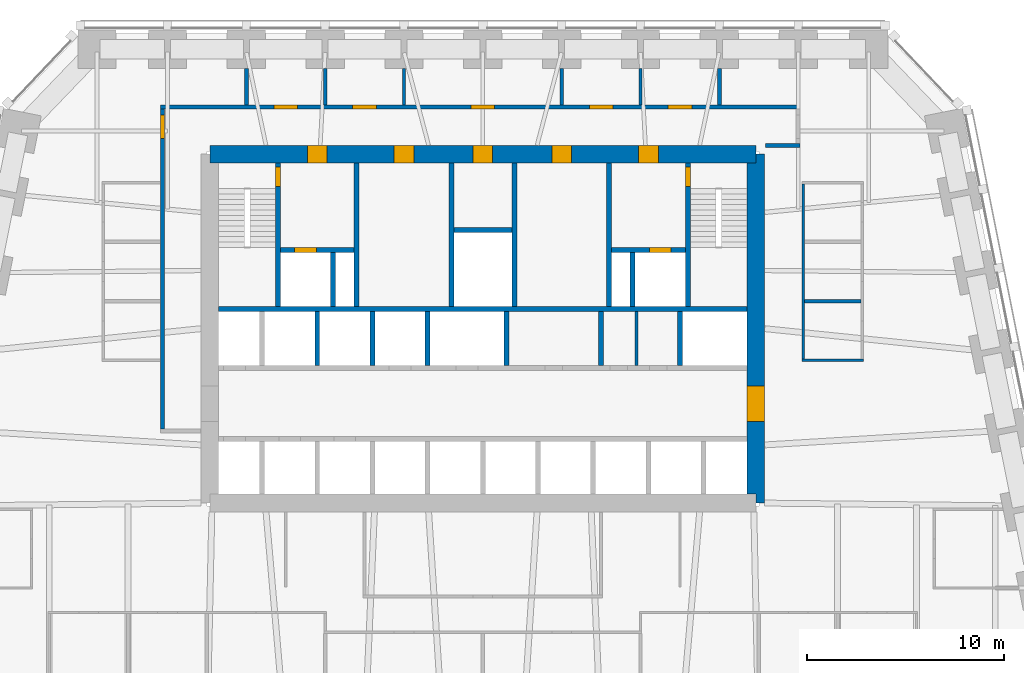
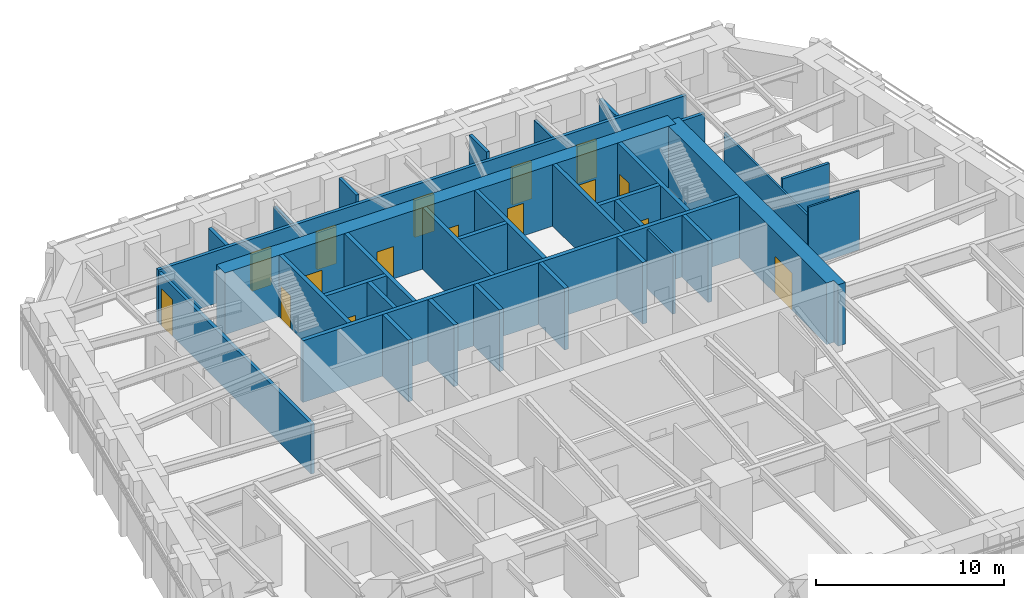
# One storey, part 7 of 10: 33 walls, 16 doors, 16 openings.
"""IFC4 building model written with IfcOpenShell, lengths in metres."""

from ifc_helpers import new_model, si_unit, direction, frame, frame_2d, origin, place, context, subcontext, project, spatial, polyline, rectangle, outline, extrude, material, layer, layer_set, type_object, element, fill, save


model = new_model("IFC4")

# Units and contexts
model_context = context("Model", 3, precision=1e-05, world=origin(), true_north=direction((0.0, 1.0)))
body_context = subcontext(model_context, "Body", "Model", "MODEL_VIEW")
ifc_project = project(units=[si_unit("LENGTHUNIT", "METRE"), si_unit("AREAUNIT", "SQUARE_METRE"), si_unit("VOLUMEUNIT", "CUBIC_METRE"), si_unit("PLANEANGLEUNIT", "RADIAN"), si_unit("MASSUNIT", "GRAM", prefix="KILO")], contexts=[model_context])

# Site, building, storey
site_placement = place(None, origin())
site = spatial("IfcSite", under=ifc_project, at=site_placement, CompositionType="ELEMENT")
building_placement = place(site_placement, origin())
building = spatial("IfcBuilding", under=site, at=building_placement, Name="Isbrekke Arena Tower", CompositionType="ELEMENT")
storey_placement = place(building_placement, frame((0.0, 0.0, 76.0)))
storey = spatial("IfcBuildingStorey", under=building, at=storey_placement, Name="L16", CompositionType="ELEMENT", Elevation=76.0)

# Wall, opening, door
ifc_material_1 = material(Name="Concrete B65 (C65/80)", Category="concrete")
ifc_layer_1 = layer(ifc_material_1, 0.89990234375)
ifc_layer_set_1 = layer_set([ifc_layer_1], Name="CW2 CORE WALL 900")
wall_type_1 = type_object("IfcWallType", Name="CW2 CORE WALL 900", PredefinedType="SHEAR", material=ifc_layer_set_1)
wall_1_placement = place(storey_placement, frame((13.85009765625, 6.14990234375, 0.0), z_axis=(0.0, 0.0, 1.0), x_axis=(0.0, 1.0, 0.0)))
wall_1 = element("IfcWall", 1, at=wall_1_placement, inside=storey, type_object=wall_type_1, Name="Core wall E L16", PredefinedType="SHEAR", context=body_context, shape_type="SweptSolid", body=[
    extrude(outline(polyline([(0.0, -0.449951171875), (17.7001953125, -0.449951171875), (17.7001953125, 0.0), (17.250244140625, 0.0), (17.250244140625, 0.449951171875), (0.449951171875, 0.449951171875), (0.449951171875, 0.0), (0.0, 0.0), (0.0, -0.449951171875)])), origin(), (0.0, 0.0, 1.0), 4.0),
])
opening_1_placement = place(wall_1_placement, frame((4.14990234375, 0.0, 0.0)))
opening_1 = element("IfcOpeningElement", 2, at=opening_1_placement, cuts=wall_1, Name="Opening D1", PredefinedType="OPENING", context=body_context, shape_type="SweptSolid", body=[
    extrude(rectangle(XDim=1.800048828125, YDim=2.39990234375, at=frame_2d((0.89990234375, 1.199951171875))), frame((0.0, 0.46484375, 0.0), z_axis=(0.0, -1.0, 0.0), x_axis=(1.0, 0.0, 0.0)), (0.0, 0.0, 1.0), 0.9296875),
])
ifc_material_2 = material(Name="Steel-framed glazed fire door", Category="steel")
door_type_1 = type_object("IfcDoorType", Name="D1 CORE LOBBY DOOR 1800 x 2400", OperationType="DOUBLE_DOOR_SINGLE_SWING", PredefinedType="DOOR", material=ifc_material_2)
door_1_placement = place(opening_1_placement, origin())
door_1 = element("IfcDoor", 3, at=door_1_placement, inside=storey, type_object=door_type_1, Name="D1 lift lobby door east L16", OperationType="DOUBLE_DOOR_SINGLE_SWING", OverallHeight=2.39990234375, OverallWidth=1.800048828125, PredefinedType="DOOR", context=body_context, shape_type="SweptSolid", body=[
    extrude(rectangle(XDim=1.800048828125, YDim=2.39990234375, at=frame_2d((0.89990234375, 1.199951171875))), frame((0.0, 0.44970703125, 0.0), z_axis=(0.0, -1.0, 0.0), x_axis=(1.0, 0.0, 0.0)), (0.0, 0.0, 1.0), 0.8994140625),
])
fill(opening_1, door_1)

# Wall, openings, doors
wall_2_placement = place(storey_placement, frame((13.85009765625, 23.85009765625, 0.0), z_axis=(0.0, 0.0, 1.0), x_axis=(-1.0, 0.0, 0.0)))
wall_2 = element("IfcWall", 4, at=wall_2_placement, inside=storey, type_object=wall_type_1, Name="Core wall N L16", PredefinedType="SHEAR", context=body_context, shape_type="SweptSolid", body=[
    extrude(rectangle(XDim=27.7001953125, YDim=0.89990234375, at=frame_2d((13.85009765625, 0.0))), origin(), (0.0, 0.0, 1.0), 4.0),
])
opening_2_placement = place(wall_2_placement, frame((21.75, 0.0, 0.0)))
opening_2 = element("IfcOpeningElement", 5, at=opening_2_placement, cuts=wall_2, Name="Opening D3", PredefinedType="OPENING", context=body_context, shape_type="SweptSolid", body=[
    extrude(rectangle(XDim=1.0, YDim=2.10009765625, at=frame_2d((0.5, 1.050048828125))), frame((0.0, 0.46484375, 0.0), z_axis=(0.0, -1.0, 0.0), x_axis=(1.0, 0.0, 0.0)), (0.0, 0.0, 1.0), 0.9296875),
])
opening_3_placement = place(wall_2_placement, frame((4.949951171875, 0.0, 0.0)))
opening_3 = element("IfcOpeningElement", 6, at=opening_3_placement, cuts=wall_2, Name="Opening D3", PredefinedType="OPENING", context=body_context, shape_type="SweptSolid", body=[
    extrude(rectangle(XDim=1.0, YDim=2.10009765625, at=frame_2d((0.5, 1.050048828125))), frame((0.0, 0.46484375, 0.0), z_axis=(0.0, -1.0, 0.0), x_axis=(1.0, 0.0, 0.0)), (0.0, 0.0, 1.0), 0.9296875),
])
opening_4_placement = place(wall_2_placement, frame((17.35009765625, 0.0, 0.0)))
opening_4 = element("IfcOpeningElement", 7, at=opening_4_placement, cuts=wall_2, Name="Opening D4", PredefinedType="OPENING", context=body_context, shape_type="SweptSolid", body=[
    extrude(rectangle(XDim=1.0, YDim=2.10009765625, at=frame_2d((0.5, 1.050048828125))), frame((0.0, 0.46484375, 0.0), z_axis=(0.0, -1.0, 0.0), x_axis=(1.0, 0.0, 0.0)), (0.0, 0.0, 1.0), 0.9296875),
])
opening_5_placement = place(wall_2_placement, frame((13.35009765625, 0.0, 0.0)))
opening_5 = element("IfcOpeningElement", 8, at=opening_5_placement, cuts=wall_2, Name="Opening D4", PredefinedType="OPENING", context=body_context, shape_type="SweptSolid", body=[
    extrude(rectangle(XDim=1.0, YDim=2.10009765625, at=frame_2d((0.5, 1.050048828125))), frame((0.0, 0.46484375, 0.0), z_axis=(0.0, -1.0, 0.0), x_axis=(1.0, 0.0, 0.0)), (0.0, 0.0, 1.0), 0.9296875),
])
opening_6_placement = place(wall_2_placement, frame((9.35009765625, 0.0, 0.0)))
opening_6 = element("IfcOpeningElement", 9, at=opening_6_placement, cuts=wall_2, Name="Opening D4", PredefinedType="OPENING", context=body_context, shape_type="SweptSolid", body=[
    extrude(rectangle(XDim=1.0, YDim=2.10009765625, at=frame_2d((0.5, 1.050048828125))), frame((0.0, 0.46484375, 0.0), z_axis=(0.0, -1.0, 0.0), x_axis=(1.0, 0.0, 0.0)), (0.0, 0.0, 1.0), 0.9296875),
])
ifc_material_3 = material(Name="Steel fire door", Category="steel")
door_type_2 = type_object("IfcDoorType", Name="D3 FIRE LOBBY DOOR 1000 x 2100", OperationType="SINGLE_SWING_RIGHT", PredefinedType="DOOR", material=ifc_material_3)
door_2_placement = place(opening_2_placement, origin())
door_2 = element("IfcDoor", 10, at=door_2_placement, inside=storey, type_object=door_type_2, Name="D3 fire-fighting lobby door L16", OperationType="SINGLE_SWING_RIGHT", OverallHeight=2.10009765625, OverallWidth=1.0, PredefinedType="DOOR", context=body_context, shape_type="SweptSolid", body=[
    extrude(rectangle(XDim=1.0, YDim=2.10009765625, at=frame_2d((0.5, 1.050048828125))), frame((0.0, 0.44970703125, 0.0), z_axis=(0.0, -1.0, 0.0), x_axis=(1.0, 0.0, 0.0)), (0.0, 0.0, 1.0), 0.8994140625),
])
fill(opening_2, door_2)
door_3_placement = place(opening_3_placement, origin())
door_3 = element("IfcDoor", 11, at=door_3_placement, inside=storey, type_object=door_type_2, Name="D3 fire-fighting lobby door L16", OperationType="SINGLE_SWING_RIGHT", OverallHeight=2.10009765625, OverallWidth=1.0, PredefinedType="DOOR", context=body_context, shape_type="SweptSolid", body=[
    extrude(rectangle(XDim=1.0, YDim=2.10009765625, at=frame_2d((0.5, 1.050048828125))), frame((0.0, 0.44970703125, 0.0), z_axis=(0.0, -1.0, 0.0), x_axis=(1.0, 0.0, 0.0)), (0.0, 0.0, 1.0), 0.8994140625),
])
fill(opening_3, door_3)
ifc_material_4 = material(Name="Timber door", Category="wood")
door_type_3 = type_object("IfcDoorType", Name="D4 WC DOOR 1000 x 2100", OperationType="SINGLE_SWING_LEFT", PredefinedType="DOOR", material=ifc_material_4)
door_4_placement = place(opening_4_placement, origin())
door_4 = element("IfcDoor", 12, at=door_4_placement, inside=storey, type_object=door_type_3, Name="D4 wc female door L16", OperationType="SINGLE_SWING_LEFT", OverallHeight=2.10009765625, OverallWidth=1.0, PredefinedType="DOOR", context=body_context, shape_type="SweptSolid", body=[
    extrude(rectangle(XDim=1.0, YDim=2.10009765625, at=frame_2d((0.5, 1.050048828125))), frame((0.0, 0.44970703125, 0.0), z_axis=(0.0, -1.0, 0.0), x_axis=(1.0, 0.0, 0.0)), (0.0, 0.0, 1.0), 0.8994140625),
])
fill(opening_4, door_4)
door_5_placement = place(opening_5_placement, origin())
door_5 = element("IfcDoor", 13, at=door_5_placement, inside=storey, type_object=door_type_3, Name="D4 accessible wc door L16", OperationType="SINGLE_SWING_LEFT", OverallHeight=2.10009765625, OverallWidth=1.0, PredefinedType="DOOR", context=body_context, shape_type="SweptSolid", body=[
    extrude(rectangle(XDim=1.0, YDim=2.10009765625, at=frame_2d((0.5, 1.050048828125))), frame((0.0, 0.44970703125, 0.0), z_axis=(0.0, -1.0, 0.0), x_axis=(1.0, 0.0, 0.0)), (0.0, 0.0, 1.0), 0.8994140625),
])
fill(opening_5, door_5)
door_6_placement = place(opening_6_placement, origin())
door_6 = element("IfcDoor", 14, at=door_6_placement, inside=storey, type_object=door_type_3, Name="D4 wc male door L16", OperationType="SINGLE_SWING_LEFT", OverallHeight=2.10009765625, OverallWidth=1.0, PredefinedType="DOOR", context=body_context, shape_type="SweptSolid", body=[
    extrude(rectangle(XDim=1.0, YDim=2.10009765625, at=frame_2d((0.5, 1.050048828125))), frame((0.0, 0.44970703125, 0.0), z_axis=(0.0, -1.0, 0.0), x_axis=(1.0, 0.0, 0.0)), (0.0, 0.0, 1.0), 0.8994140625),
])
fill(opening_6, door_6)

# Walls
ifc_material_5 = material(Name="Concrete B45 (C45/55)", Category="concrete")
ifc_layer_2 = layer(ifc_material_5, 0.25)
ifc_layer_set_2 = layer_set([ifc_layer_2], Name="CW6 SHAFT WALL 250")
wall_type_2 = type_object("IfcWallType", Name="CW6 SHAFT WALL 250", PredefinedType="SHEAR", material=ifc_layer_set_2)
wall_3_placement = place(storey_placement, frame((-13.39990234375, 16.0, 0.0), z_axis=(0.0, 0.0, 1.0), x_axis=(1.0, 0.0, 0.0)))
element("IfcWall", 15, at=wall_3_placement, inside=storey, type_object=wall_type_2, Name="Core wall NB L16", PredefinedType="SHEAR", context=body_context, shape_type="SweptSolid", body=[
    extrude(rectangle(XDim=26.7998046875, YDim=0.25, at=frame_2d((13.39990234375, 0.0))), origin(), (0.0, 0.0, 1.0), 4.0),
])
for number, where, z_axis, x_axis, name in (
    (16, (-8.39990234375, 13.125, 0.0), (0.0, 0.0, 1.0), (0.0, 1.0, 0.0), "Core wall SN02 L16"),
    (17, (-5.60009765625, 13.125, 0.0), (0.0, 0.0, 1.0), (0.0, 1.0, 0.0), "Core wall SN03 L16"),
    (18, (-2.800048828125, 13.125, 0.0), (0.0, 0.0, 1.0), (0.0, 1.0, 0.0), "Core wall SN04 L16"),
    (19, (1.199951171875, 13.125, 0.0), (0.0, 0.0, 1.0), (0.0, 1.0, 0.0), "Core wall SN05 L16"),
    (20, (6.0, 13.125, 0.0), (0.0, 0.0, 1.0), (0.0, 1.0, 0.0), "Core wall SN06 L16"),
    (21, (10.0, 13.125, 0.0), (0.0, 0.0, 1.0), (0.0, 1.0, 0.0), "Core wall SN07 L16"),
):
    element("IfcWall", number, at=place(storey_placement, frame(where, z_axis=z_axis, x_axis=x_axis)), inside=storey, type_object=wall_type_2, Name=name, PredefinedType="SHEAR", context=body_context, shape_type="SweptSolid", body=[
        extrude(rectangle(XDim=2.75, YDim=0.25, at=frame_2d((1.375, 0.0))), origin(), (0.0, 0.0, 1.0), 4.0),
    ])

# Wall, opening, door
wall_4_placement = place(storey_placement, frame((-10.39990234375, 16.125, 0.0), z_axis=(0.0, 0.0, 1.0), x_axis=(0.0, 1.0, 0.0)))
wall_4 = element("IfcWall", 22, at=wall_4_placement, inside=storey, type_object=wall_type_2, Name="Core wall NV01 L16", PredefinedType="SHEAR", context=body_context, shape_type="SweptSolid", body=[
    extrude(rectangle(XDim=7.27490234375, YDim=0.25, at=frame_2d((3.637451171875, 0.0))), origin(), (0.0, 0.0, 1.0), 4.0),
])
opening_7_placement = place(wall_4_placement, frame((6.074951171875, 0.0, 0.0)))
opening_7 = element("IfcOpeningElement", 23, at=opening_7_placement, cuts=wall_4, Name="Opening D2", PredefinedType="OPENING", context=body_context, shape_type="SweptSolid", body=[
    extrude(rectangle(XDim=1.0, YDim=2.10009765625, at=frame_2d((0.5, 1.050048828125))), frame((0.0, 0.139892578125, 0.0), z_axis=(0.0, -1.0, 0.0), x_axis=(1.0, 0.0, 0.0)), (0.0, 0.0, 1.0), 0.27978515625),
])
ifc_material_6 = material(Name="Steel fire door", Category="steel")
door_type_4 = type_object("IfcDoorType", Name="D2 STAIR DOOR 1000 x 2100", OperationType="SINGLE_SWING_LEFT", PredefinedType="DOOR", material=ifc_material_6)
door_7_placement = place(opening_7_placement, origin())
door_7 = element("IfcDoor", 24, at=door_7_placement, inside=storey, type_object=door_type_4, Name="D2 stair door ST1 L16", OperationType="SINGLE_SWING_LEFT", OverallHeight=2.10009765625, OverallWidth=1.0, PredefinedType="DOOR", context=body_context, shape_type="SweptSolid", body=[
    extrude(rectangle(XDim=1.0, YDim=2.10009765625, at=frame_2d((0.5, 1.050048828125))), frame((0.0, 0.124755859375, 0.0), z_axis=(0.0, -1.0, 0.0), x_axis=(1.0, 0.0, 0.0)), (0.0, 0.0, 1.0), 0.24951171875),
])
fill(opening_7, door_7)

# Walls
for number, where, z_axis, x_axis, name in (
    (25, (-6.39990234375, 16.125, 0.0), (0.0, 0.0, 1.0), (0.0, 1.0, 0.0), "Core wall NV02 L16"),
    (26, (-1.60009765625, 16.125, 0.0), (0.0, 0.0, 1.0), (0.0, 1.0, 0.0), "Core wall NV03 L16"),
    (27, (1.60009765625, 16.125, 0.0), (0.0, 0.0, 1.0), (0.0, 1.0, 0.0), "Core wall NV04 L16"),
    (28, (6.39990234375, 16.125, 0.0), (0.0, 0.0, 1.0), (0.0, 1.0, 0.0), "Core wall NV05 L16"),
):
    element("IfcWall", number, at=place(storey_placement, frame(where, z_axis=z_axis, x_axis=x_axis)), inside=storey, type_object=wall_type_2, Name=name, PredefinedType="SHEAR", context=body_context, shape_type="SweptSolid", body=[
        extrude(rectangle(XDim=7.27490234375, YDim=0.25, at=frame_2d((3.637451171875, 0.0))), origin(), (0.0, 0.0, 1.0), 4.0),
    ])

# Wall, opening, door
wall_5_placement = place(storey_placement, frame((10.39990234375, 16.125, 0.0), z_axis=(0.0, 0.0, 1.0), x_axis=(0.0, 1.0, 0.0)))
wall_5 = element("IfcWall", 29, at=wall_5_placement, inside=storey, type_object=wall_type_2, Name="Core wall NV06 L16", PredefinedType="SHEAR", context=body_context, shape_type="SweptSolid", body=[
    extrude(rectangle(XDim=7.27490234375, YDim=0.25, at=frame_2d((3.637451171875, 0.0))), origin(), (0.0, 0.0, 1.0), 4.0),
])
opening_8_placement = place(wall_5_placement, frame((6.074951171875, 0.0, 0.0)))
opening_8 = element("IfcOpeningElement", 30, at=opening_8_placement, cuts=wall_5, Name="Opening D2", PredefinedType="OPENING", context=body_context, shape_type="SweptSolid", body=[
    extrude(rectangle(XDim=1.0, YDim=2.10009765625, at=frame_2d((0.5, 1.050048828125))), frame((0.0, 0.139892578125, 0.0), z_axis=(0.0, -1.0, 0.0), x_axis=(1.0, 0.0, 0.0)), (0.0, 0.0, 1.0), 0.27978515625),
])
door_8_placement = place(opening_8_placement, origin())
door_8 = element("IfcDoor", 31, at=door_8_placement, inside=storey, type_object=door_type_4, Name="D2 stair door ST2 L16", OperationType="SINGLE_SWING_LEFT", OverallHeight=2.10009765625, OverallWidth=1.0, PredefinedType="DOOR", context=body_context, shape_type="SweptSolid", body=[
    extrude(rectangle(XDim=1.0, YDim=2.10009765625, at=frame_2d((0.5, 1.050048828125))), frame((0.0, 0.124755859375, 0.0), z_axis=(0.0, -1.0, 0.0), x_axis=(1.0, 0.0, 0.0)), (0.0, 0.0, 1.0), 0.24951171875),
])
fill(opening_8, door_8)

wall_6_placement = place(storey_placement, frame((-10.27490234375, 19.0, 0.0), z_axis=(0.0, 0.0, 1.0), x_axis=(1.0, 0.0, 0.0)))
wall_6 = element("IfcWall", 32, at=wall_6_placement, inside=storey, type_object=wall_type_2, Name="Core wall NFW L16", PredefinedType="SHEAR", context=body_context, shape_type="SweptSolid", body=[
    extrude(rectangle(XDim=3.75, YDim=0.25, at=frame_2d((1.875, 0.0))), origin(), (0.0, 0.0, 1.0), 4.0),
])
opening_9_placement = place(wall_6_placement, frame((0.72509765625, 0.0, 0.0)))
opening_9 = element("IfcOpeningElement", 33, at=opening_9_placement, cuts=wall_6, Name="Opening LD2", PredefinedType="OPENING", context=body_context, shape_type="SweptSolid", body=[
    extrude(rectangle(XDim=1.10009765625, YDim=2.10009765625, at=frame_2d((0.550048828125, 1.050048828125))), frame((0.0, 0.139892578125, 0.0), z_axis=(0.0, -1.0, 0.0), x_axis=(1.0, 0.0, 0.0)), (0.0, 0.0, 1.0), 0.27978515625),
])
ifc_material_7 = material(Name="Stainless steel lift landing door", Category="steel")
door_type_5 = type_object("IfcDoorType", Name="LD2 FIRE-FIGHTING LIFT LANDING DOOR 1100 x 2100", OperationType="SLIDING_TO_RIGHT", PredefinedType="DOOR", material=ifc_material_7)
door_9_placement = place(opening_9_placement, origin())
door_9 = element("IfcDoor", 34, at=door_9_placement, inside=storey, type_object=door_type_5, Name="LD2 lift landing door LF L16", OperationType="SLIDING_TO_RIGHT", OverallHeight=2.10009765625, OverallWidth=1.10009765625, PredefinedType="DOOR", context=body_context, shape_type="SweptSolid", body=[
    extrude(rectangle(XDim=1.10009765625, YDim=2.10009765625, at=frame_2d((0.550048828125, 1.050048828125))), frame((0.0, 0.124755859375, 0.0), z_axis=(0.0, -1.0, 0.0), x_axis=(1.0, 0.0, 0.0)), (0.0, 0.0, 1.0), 0.24951171875),
])
fill(opening_9, door_9)

wall_7_placement = place(storey_placement, frame((6.52490234375, 19.0, 0.0), z_axis=(0.0, 0.0, 1.0), x_axis=(1.0, 0.0, 0.0)))
wall_7 = element("IfcWall", 35, at=wall_7_placement, inside=storey, type_object=wall_type_2, Name="Core wall NFE L16", PredefinedType="SHEAR", context=body_context, shape_type="SweptSolid", body=[
    extrude(rectangle(XDim=3.75, YDim=0.25, at=frame_2d((1.875, 0.0))), origin(), (0.0, 0.0, 1.0), 4.0),
])
opening_10_placement = place(wall_7_placement, frame((1.925048828125, 0.0, 0.0)))
opening_10 = element("IfcOpeningElement", 36, at=opening_10_placement, cuts=wall_7, Name="Opening LD2", PredefinedType="OPENING", context=body_context, shape_type="SweptSolid", body=[
    extrude(rectangle(XDim=1.10009765625, YDim=2.10009765625, at=frame_2d((0.550048828125, 1.050048828125))), frame((0.0, 0.139892578125, 0.0), z_axis=(0.0, -1.0, 0.0), x_axis=(1.0, 0.0, 0.0)), (0.0, 0.0, 1.0), 0.27978515625),
])
door_10_placement = place(opening_10_placement, origin())
door_10 = element("IfcDoor", 37, at=door_10_placement, inside=storey, type_object=door_type_5, Name="LD2 lift landing door LF L16", OperationType="SLIDING_TO_RIGHT", OverallHeight=2.10009765625, OverallWidth=1.10009765625, PredefinedType="DOOR", context=body_context, shape_type="SweptSolid", body=[
    extrude(rectangle(XDim=1.10009765625, YDim=2.10009765625, at=frame_2d((0.550048828125, 1.050048828125))), frame((0.0, 0.124755859375, 0.0), z_axis=(0.0, -1.0, 0.0), x_axis=(1.0, 0.0, 0.0)), (0.0, 0.0, 1.0), 0.24951171875),
])
fill(opening_10, door_10)

# Walls
for number, where, z_axis, x_axis, name in (
    (38, (-7.60009765625, 16.125, 0.0), (0.0, 0.0, 1.0), (0.0, 1.0, 0.0), "Core wall NFS1 L16"),
    (39, (7.60009765625, 16.125, 0.0), (0.0, 0.0, 1.0), (0.0, 1.0, 0.0), "Core wall NFS2 L16"),
):
    element("IfcWall", number, at=place(storey_placement, frame(where, z_axis=z_axis, x_axis=x_axis)), inside=storey, type_object=wall_type_2, Name=name, PredefinedType="SHEAR", context=body_context, shape_type="SweptSolid", body=[
        extrude(rectangle(XDim=2.75, YDim=0.25, at=frame_2d((1.375, 0.0))), origin(), (0.0, 0.0, 1.0), 4.0),
    ])
wall_8_placement = place(storey_placement, frame((-1.47509765625, 20.0, 0.0), z_axis=(0.0, 0.0, 1.0), x_axis=(1.0, 0.0, 0.0)))
element("IfcWall", 40, at=wall_8_placement, inside=storey, type_object=wall_type_2, Name="Core wall NWC L16", PredefinedType="SHEAR", context=body_context, shape_type="SweptSolid", body=[
    extrude(rectangle(XDim=2.9501953125, YDim=0.25, at=frame_2d((1.47509765625, 0.0))), origin(), (0.0, 0.0, 1.0), 4.0),
])
ifc_material_8 = material(Name="Frameless glazed partition, laminated acoustic glass", Category="glass")
ifc_layer_3 = layer(ifc_material_8, 0.1201171875)
ifc_layer_set_3 = layer_set([ifc_layer_3], Name="IW2 GLAZED PARTITION 120")
wall_type_3 = type_object("IfcWallType", Name="IW2 GLAZED PARTITION 120", PredefinedType="PARTITIONING", material=ifc_layer_set_3)
wall_9_placement = place(storey_placement, frame((16.18994140625, 13.39990234375, 0.0), z_axis=(0.0, 0.0, 1.0), x_axis=(1.0, 0.0, 0.0)))
element("IfcWall", 41, at=wall_9_placement, inside=storey, type_object=wall_type_3, Name="IW2 glazed partition 120 L16", PredefinedType="PARTITIONING", context=body_context, shape_type="SweptSolid", body=[
    extrude(rectangle(XDim=3.1201171875, YDim=0.1201171875, at=frame_2d((1.56005859375, 0.0))), origin(), (0.0, 0.0, 1.0), 3.85009765625),
])
wall_10_placement = place(storey_placement, frame((16.25, 13.4599609375, 0.0), z_axis=(0.0, 0.0, 1.0), x_axis=(0.0, 1.0, 0.0)))
element("IfcWall", 42, at=wall_10_placement, inside=storey, type_object=wall_type_3, Name="IW2 glazed partition 120 L16", PredefinedType="PARTITIONING", context=body_context, shape_type="SweptSolid", body=[
    extrude(rectangle(XDim=8.880126953125, YDim=0.1201171875, at=frame_2d((4.43994140625, 0.0))), origin(), (0.0, 0.0, 1.0), 3.25),
])
ifc_material_9 = material(Name="Gypsum board fire-cell wall on steel studs, two layers each side", Category="steel")
ifc_layer_4 = layer(ifc_material_9, 0.199951171875)
ifc_layer_set_4 = layer_set([ifc_layer_4], Name="IW3 FIRE-CELL WALL 200")
wall_type_4 = type_object("IfcWallType", Name="IW3 FIRE-CELL WALL 200", PredefinedType="PARTITIONING", material=ifc_layer_set_4)
wall_11_placement = place(storey_placement, frame((14.330078125, 24.300048828125, 0.0), z_axis=(0.0, 0.0, 1.0), x_axis=(1.0, 0.0, 0.0)))
element("IfcWall", 43, at=wall_11_placement, inside=storey, type_object=wall_type_4, Name="IW3 fire-cell wall 200 L16", PredefinedType="PARTITIONING", context=body_context, shape_type="SweptSolid", body=[
    extrude(rectangle(XDim=1.77001953125, YDim=0.199951171875, at=frame_2d((0.885009765625, 0.0))), origin(), (0.0, 0.0, 1.0), 3.39990234375),
])

# Wall, openings, doors
wall_12_placement = place(storey_placement, frame((-16.35009765625, 26.25, 0.0), z_axis=(0.0, 0.0, 1.0), x_axis=(1.0, 0.0, 0.0)))
wall_12 = element("IfcWall", 44, at=wall_12_placement, inside=storey, type_object=wall_type_4, Name="IW3 fire-cell wall 200 L16", PredefinedType="PARTITIONING", context=body_context, shape_type="SweptSolid", body=[
    extrude(rectangle(XDim=32.4501953125, YDim=0.199951171875, at=frame_2d((16.22509765625, 0.0))), origin(), (0.0, 0.0, 1.0), 3.39990234375),
])
opening_11_placement = place(wall_12_placement, frame((5.75, 0.0, 0.0)))
opening_11 = element("IfcOpeningElement", 45, at=opening_11_placement, cuts=wall_12, Name="Opening D12", PredefinedType="OPENING", context=body_context, shape_type="SweptSolid", body=[
    extrude(rectangle(XDim=1.199951171875, YDim=2.39990234375, at=frame_2d((0.60009765625, 1.199951171875))), frame((0.0, 0.11474609375, 0.0), z_axis=(0.0, -1.0, 0.0), x_axis=(1.0, 0.0, 0.0)), (0.0, 0.0, 1.0), 0.229736328125),
])
opening_12_placement = place(wall_12_placement, frame((9.75, 0.0, 0.0)))
opening_12 = element("IfcOpeningElement", 46, at=opening_12_placement, cuts=wall_12, Name="Opening D12", PredefinedType="OPENING", context=body_context, shape_type="SweptSolid", body=[
    extrude(rectangle(XDim=1.199951171875, YDim=2.39990234375, at=frame_2d((0.60009765625, 1.199951171875))), frame((0.0, 0.11474609375, 0.0), z_axis=(0.0, -1.0, 0.0), x_axis=(1.0, 0.0, 0.0)), (0.0, 0.0, 1.0), 0.229736328125),
])
opening_13_placement = place(wall_12_placement, frame((15.75, 0.0, 0.0)))
opening_13 = element("IfcOpeningElement", 47, at=opening_13_placement, cuts=wall_12, Name="Opening D12", PredefinedType="OPENING", context=body_context, shape_type="SweptSolid", body=[
    extrude(rectangle(XDim=1.199951171875, YDim=2.39990234375, at=frame_2d((0.60009765625, 1.199951171875))), frame((0.0, 0.11474609375, 0.0), z_axis=(0.0, -1.0, 0.0), x_axis=(1.0, 0.0, 0.0)), (0.0, 0.0, 1.0), 0.229736328125),
])
opening_14_placement = place(wall_12_placement, frame((21.75, 0.0, 0.0)))
opening_14 = element("IfcOpeningElement", 48, at=opening_14_placement, cuts=wall_12, Name="Opening D12", PredefinedType="OPENING", context=body_context, shape_type="SweptSolid", body=[
    extrude(rectangle(XDim=1.199951171875, YDim=2.39990234375, at=frame_2d((0.60009765625, 1.199951171875))), frame((0.0, 0.11474609375, 0.0), z_axis=(0.0, -1.0, 0.0), x_axis=(1.0, 0.0, 0.0)), (0.0, 0.0, 1.0), 0.229736328125),
])
opening_15_placement = place(wall_12_placement, frame((25.75, 0.0, 0.0)))
opening_15 = element("IfcOpeningElement", 49, at=opening_15_placement, cuts=wall_12, Name="Opening D12", PredefinedType="OPENING", context=body_context, shape_type="SweptSolid", body=[
    extrude(rectangle(XDim=1.199951171875, YDim=2.39990234375, at=frame_2d((0.60009765625, 1.199951171875))), frame((0.0, 0.11474609375, 0.0), z_axis=(0.0, -1.0, 0.0), x_axis=(1.0, 0.0, 0.0)), (0.0, 0.0, 1.0), 0.229736328125),
])
ifc_material_10 = material(Name="Timber fire door with vision panel", Category="wood")
door_type_6 = type_object("IfcDoorType", Name="D12 SUITE ENTRANCE DOOR 1200 x 2400", OperationType="SINGLE_SWING_LEFT", PredefinedType="DOOR", material=ifc_material_10)
door_11_placement = place(opening_11_placement, origin())
door_11 = element("IfcDoor", 50, at=door_11_placement, inside=storey, type_object=door_type_6, Name="D12 focus room door L16", OperationType="SINGLE_SWING_LEFT", OverallHeight=2.39990234375, OverallWidth=1.199951171875, PredefinedType="DOOR", context=body_context, shape_type="SweptSolid", body=[
    extrude(rectangle(XDim=1.199951171875, YDim=2.39990234375, at=frame_2d((0.60009765625, 1.199951171875))), frame((0.0, 0.099609375, 0.0), z_axis=(0.0, -1.0, 0.0), x_axis=(1.0, 0.0, 0.0)), (0.0, 0.0, 1.0), 0.199462890625),
])
fill(opening_11, door_11)
door_12_placement = place(opening_12_placement, origin())
door_12 = element("IfcDoor", 51, at=door_12_placement, inside=storey, type_object=door_type_6, Name="D12 focus room door L16", OperationType="SINGLE_SWING_LEFT", OverallHeight=2.39990234375, OverallWidth=1.199951171875, PredefinedType="DOOR", context=body_context, shape_type="SweptSolid", body=[
    extrude(rectangle(XDim=1.199951171875, YDim=2.39990234375, at=frame_2d((0.60009765625, 1.199951171875))), frame((0.0, 0.099609375, 0.0), z_axis=(0.0, -1.0, 0.0), x_axis=(1.0, 0.0, 0.0)), (0.0, 0.0, 1.0), 0.199462890625),
])
fill(opening_12, door_12)
door_13_placement = place(opening_13_placement, origin())
door_13 = element("IfcDoor", 52, at=door_13_placement, inside=storey, type_object=door_type_6, Name="D12 meeting room door L16", OperationType="SINGLE_SWING_LEFT", OverallHeight=2.39990234375, OverallWidth=1.199951171875, PredefinedType="DOOR", context=body_context, shape_type="SweptSolid", body=[
    extrude(rectangle(XDim=1.199951171875, YDim=2.39990234375, at=frame_2d((0.60009765625, 1.199951171875))), frame((0.0, 0.099609375, 0.0), z_axis=(0.0, -1.0, 0.0), x_axis=(1.0, 0.0, 0.0)), (0.0, 0.0, 1.0), 0.199462890625),
])
fill(opening_13, door_13)
door_14_placement = place(opening_14_placement, origin())
door_14 = element("IfcDoor", 53, at=door_14_placement, inside=storey, type_object=door_type_6, Name="D12 focus room door L16", OperationType="SINGLE_SWING_LEFT", OverallHeight=2.39990234375, OverallWidth=1.199951171875, PredefinedType="DOOR", context=body_context, shape_type="SweptSolid", body=[
    extrude(rectangle(XDim=1.199951171875, YDim=2.39990234375, at=frame_2d((0.60009765625, 1.199951171875))), frame((0.0, 0.099609375, 0.0), z_axis=(0.0, -1.0, 0.0), x_axis=(1.0, 0.0, 0.0)), (0.0, 0.0, 1.0), 0.199462890625),
])
fill(opening_14, door_14)
door_15_placement = place(opening_15_placement, origin())
door_15 = element("IfcDoor", 54, at=door_15_placement, inside=storey, type_object=door_type_6, Name="D12 focus room door L16", OperationType="SINGLE_SWING_LEFT", OverallHeight=2.39990234375, OverallWidth=1.199951171875, PredefinedType="DOOR", context=body_context, shape_type="SweptSolid", body=[
    extrude(rectangle(XDim=1.199951171875, YDim=2.39990234375, at=frame_2d((0.60009765625, 1.199951171875))), frame((0.0, 0.099609375, 0.0), z_axis=(0.0, -1.0, 0.0), x_axis=(1.0, 0.0, 0.0)), (0.0, 0.0, 1.0), 0.199462890625),
])
fill(opening_15, door_15)

# Wall, opening, door
wall_13_placement = place(storey_placement, frame((-16.25, 9.89990234375, 0.0), z_axis=(0.0, 0.0, 1.0), x_axis=(0.0, 1.0, 0.0)))
wall_13 = element("IfcWall", 55, at=wall_13_placement, inside=storey, type_object=wall_type_4, Name="IW3 fire-cell wall 200 L16", PredefinedType="PARTITIONING", context=body_context, shape_type="SweptSolid", body=[
    extrude(rectangle(XDim=16.25, YDim=0.199951171875, at=frame_2d((8.125, 0.0))), origin(), (0.0, 0.0, 1.0), 3.25),
])
opening_16_placement = place(wall_13_placement, frame((14.75, 0.0, 0.0)))
opening_16 = element("IfcOpeningElement", 56, at=opening_16_placement, cuts=wall_13, Name="Opening D12", PredefinedType="OPENING", context=body_context, shape_type="SweptSolid", body=[
    extrude(rectangle(XDim=1.199951171875, YDim=2.39990234375, at=frame_2d((0.60009765625, 1.199951171875))), frame((0.0, 0.11474609375, 0.0), z_axis=(0.0, -1.0, 0.0), x_axis=(1.0, 0.0, 0.0)), (0.0, 0.0, 1.0), 0.229736328125),
])
door_16_placement = place(opening_16_placement, origin())
door_16 = element("IfcDoor", 57, at=door_16_placement, inside=storey, type_object=door_type_6, Name="D12 suite entrance A door L16", OperationType="SINGLE_SWING_LEFT", OverallHeight=2.39990234375, OverallWidth=1.199951171875, PredefinedType="DOOR", context=body_context, shape_type="SweptSolid", body=[
    extrude(rectangle(XDim=1.199951171875, YDim=2.39990234375, at=frame_2d((0.60009765625, 1.199951171875))), frame((0.0, 0.099609375, 0.0), z_axis=(0.0, -1.0, 0.0), x_axis=(1.0, 0.0, 0.0)), (0.0, 0.0, 1.0), 0.199462890625),
])
fill(opening_16, door_16)

# Walls
for number, where, z_axis, x_axis, name in (
    (58, (-12.0, 26.35009765625, 0.0), (0.0, 0.0, 1.0), (0.0, 1.0, 0.0), "IW3 fire-cell wall 200 L16"),
    (59, (12.0, 26.35009765625, 0.0), (0.0, 0.0, 1.0), (0.0, 1.0, 0.0), "IW3 fire-cell wall 200 L16"),
):
    element("IfcWall", number, at=place(storey_placement, frame(where, z_axis=z_axis, x_axis=x_axis)), inside=storey, type_object=wall_type_4, Name=name, PredefinedType="PARTITIONING", context=body_context, shape_type="SweptSolid", body=[
        extrude(rectangle(XDim=1.849853515625, YDim=0.199951171875, at=frame_2d((0.9248046875, 0.0))), origin(), (0.0, 0.0, 1.0), 3.39990234375),
    ])
ifc_material_11 = material(Name="Gypsum board acoustic partition on twin steel studs", Category="steel")
ifc_layer_5 = layer(ifc_material_11, 0.175048828125)
ifc_layer_set_5 = layer_set([ifc_layer_5], Name="IW4 ACOUSTIC PARTITION 175")
wall_type_5 = type_object("IfcWallType", Name="IW4 ACOUSTIC PARTITION 175", PredefinedType="PARTITIONING", material=ifc_layer_set_5)
wall_14_placement = place(storey_placement, frame((16.31005859375, 16.39990234375, 0.0), z_axis=(0.0, 0.0, 1.0), x_axis=(1.0, 0.0, 0.0)))
element("IfcWall", 60, at=wall_14_placement, inside=storey, type_object=wall_type_5, Name="IW4 acoustic partition 175 L16", PredefinedType="PARTITIONING", context=body_context, shape_type="SweptSolid", body=[
    extrude(rectangle(XDim=2.8798828125, YDim=0.175048828125, at=frame_2d((1.43994140625, 0.0))), origin(), (0.0, 0.0, 1.0), 3.85009765625),
])
wall_15_placement = place(storey_placement, frame((-8.0, 26.35009765625, 0.0), z_axis=(0.0, 0.0, 1.0), x_axis=(0.0, 1.0, 0.0)))
element("IfcWall", 61, at=wall_15_placement, inside=storey, type_object=wall_type_5, Name="IW4 acoustic partition 175 L16", PredefinedType="PARTITIONING", context=body_context, shape_type="SweptSolid", body=[
    extrude(rectangle(XDim=1.849853515625, YDim=0.175048828125, at=frame_2d((0.9248046875, 0.0))), origin(), (0.0, 0.0, 1.0), 3.39990234375),
])
for number, where, z_axis, x_axis, name in (
    (62, (-4.0, 26.35009765625, 0.0), (0.0, 0.0, 1.0), (0.0, 1.0, 0.0), "IW4 acoustic partition 175 L16"),
    (63, (4.0, 26.35009765625, 0.0), (0.0, 0.0, 1.0), (0.0, 1.0, 0.0), "IW4 acoustic partition 175 L16"),
):
    element("IfcWall", number, at=place(storey_placement, frame(where, z_axis=z_axis, x_axis=x_axis)), inside=storey, type_object=wall_type_5, Name=name, PredefinedType="PARTITIONING", context=body_context, shape_type="SweptSolid", body=[
        extrude(rectangle(XDim=1.849853515625, YDim=0.175048828125, at=frame_2d((0.9248046875, 0.0))), origin(), (0.0, 0.0, 1.0), 3.85009765625),
    ])
wall_16_placement = place(storey_placement, frame((8.0, 26.35009765625, 0.0), z_axis=(0.0, 0.0, 1.0), x_axis=(0.0, 1.0, 0.0)))
element("IfcWall", 64, at=wall_16_placement, inside=storey, type_object=wall_type_5, Name="IW4 acoustic partition 175 L16", PredefinedType="PARTITIONING", context=body_context, shape_type="SweptSolid", body=[
    extrude(rectangle(XDim=1.849853515625, YDim=0.175048828125, at=frame_2d((0.9248046875, 0.0))), origin(), (0.0, 0.0, 1.0), 3.39990234375),
])
ifc_material_12 = material(Name="Gypsum board fire-rated partition on steel studs, two layers each side", Category="steel")
ifc_layer_6 = layer(ifc_material_12, 0.14990234375)
ifc_layer_set_6 = layer_set([ifc_layer_6], Name="IW5 FIRE-RATED PARTITION 150")
wall_type_6 = type_object("IfcWallType", Name="IW5 FIRE-RATED PARTITION 150", PredefinedType="PARTITIONING", material=ifc_layer_set_6)
wall_17_placement = place(storey_placement, frame((7.800048828125, 13.125, 0.0), z_axis=(0.0, 0.0, 1.0), x_axis=(0.0, 1.0, 0.0)))
element("IfcWall", 65, at=wall_17_placement, inside=storey, type_object=wall_type_6, Name="IW5 fire-rated partition L16 core service rooms 1", PredefinedType="PARTITIONING", context=body_context, shape_type="SweptSolid", body=[
    extrude(rectangle(XDim=2.75, YDim=0.14990234375, at=frame_2d((1.375, 0.0))), origin(), (0.0, 0.0, 1.0), 3.85009765625),
])

save(model, "model.ifc")
